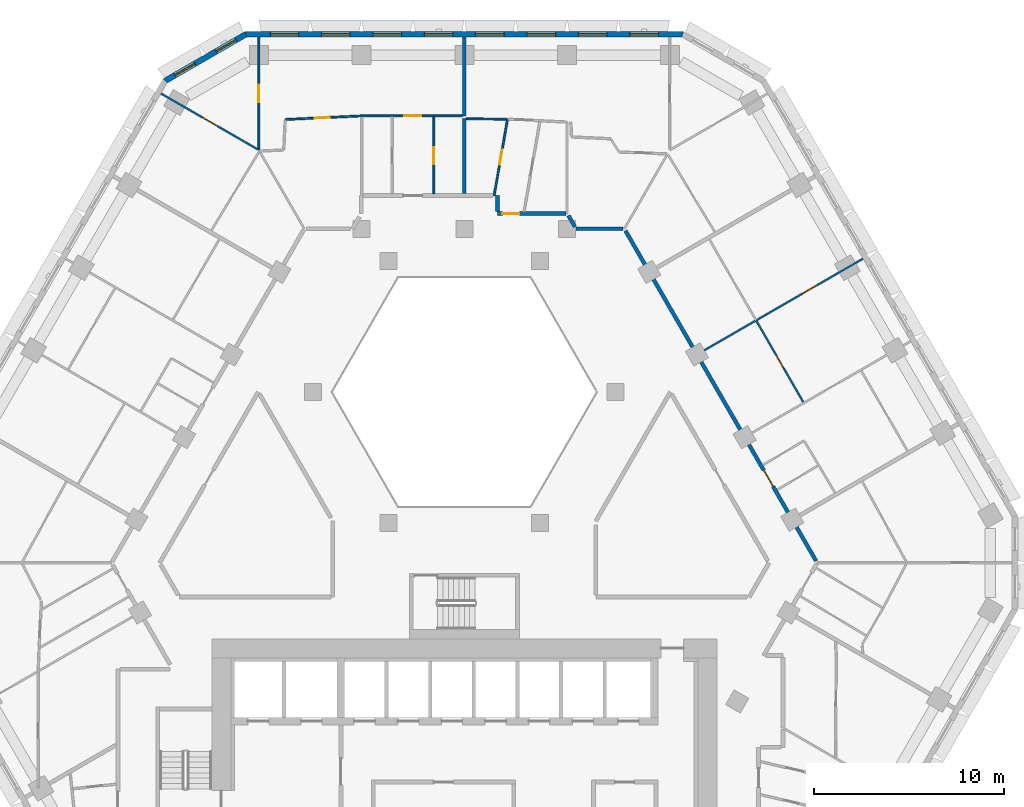
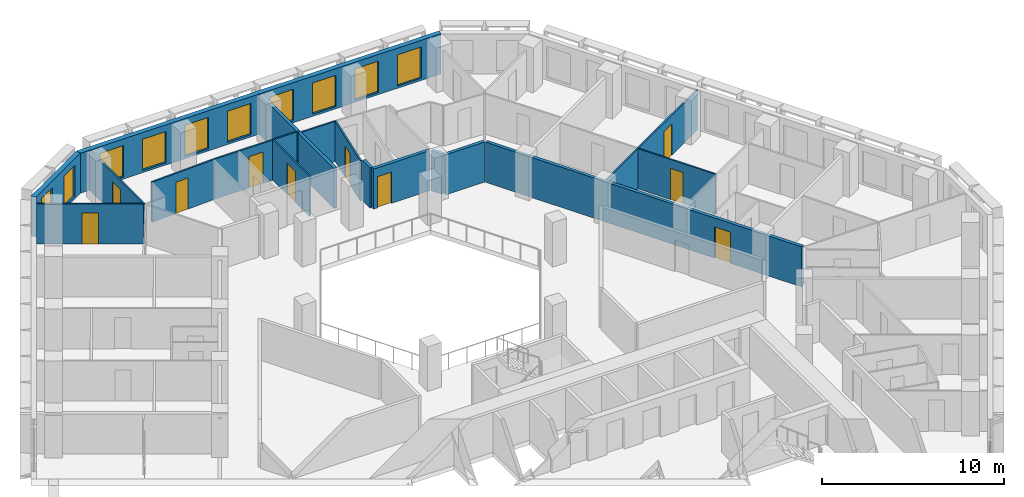
# One storey, part 9 of 18: 18 walls, 10 doors, 10 windows, 20 openings.
"""IFC4 building model written with IfcOpenShell, lengths in metres."""

from ifc_helpers import new_model, si_unit, direction, frame, frame_2d, origin, place, context, subcontext, project, spatial, polyline, rectangle, outline, extrude, material, layer, layer_set, type_object, element, fill, save


model = new_model("IFC4")

# Units and contexts
model_context = context("Model", 3, precision=1e-05, world=origin(), true_north=direction((0.0, 1.0)))
body_context = subcontext(model_context, "Body", "Model", "MODEL_VIEW")
ifc_project = project(units=[si_unit("LENGTHUNIT", "METRE"), si_unit("AREAUNIT", "SQUARE_METRE"), si_unit("VOLUMEUNIT", "CUBIC_METRE"), si_unit("PLANEANGLEUNIT", "RADIAN"), si_unit("MASSUNIT", "GRAM", prefix="KILO")], contexts=[model_context])

# Site, building, storey
site_placement = place(None, origin())
site = spatial("IfcSite", under=ifc_project, at=site_placement, CompositionType="ELEMENT")
building_placement = place(site_placement, origin())
building = spatial("IfcBuilding", under=site, at=building_placement, Name="Beryl Residences", CompositionType="ELEMENT")
storey_placement = place(building_placement, frame((0.0, 0.0, 81.0)))
storey = spatial("IfcBuildingStorey", under=building, at=storey_placement, Name="L24", CompositionType="ELEMENT", Elevation=81.0)

# Wall, openings, windows
ifc_material_1 = material(Name="Composite metal panel with mineral wool insulation")
ifc_layer_1 = layer(ifc_material_1, 0.300048828125)
ifc_layer_set_1 = layer_set([ifc_layer_1], Name="ES1 pale metal composite panel wall 300 mm")
wall_type_1 = type_object("IfcWallType", Name="ES1 pale metal composite panel wall 300 mm", PredefinedType="SOLIDWALL", material=ifc_layer_set_1)
wall_1_placement = place(storey_placement, frame((11.547119140625, 26.85009765625, 0.0), z_axis=(0.0, 0.0, 1.0), x_axis=(-1.0, 0.0, 0.0)))
wall_1 = element("IfcWall", 1, at=wall_1_placement, inside=storey, type_object=wall_type_1, Name="ES1 external wall L24 N", PredefinedType="SOLIDWALL", context=body_context, shape_type="SweptSolid", body=[
    extrude(outline(polyline([(0.0, -0.14990234375), (23.09423828125, -0.14990234375), (23.013916015625, 0.14990234375), (0.080322265625, 0.14990234375), (0.0, -0.14990234375)])), origin(), (0.0, 0.0, 1.0), 2.699951171875),
])
opening_1_placement = place(wall_1_placement, frame((1.324951171875, 0.0, 0.14990234375)))
opening_1 = element("IfcOpeningElement", 2, at=opening_1_placement, cuts=wall_1, Name="Opening W1", PredefinedType="OPENING", context=body_context, shape_type="SweptSolid", body=[
    extrude(rectangle(XDim=1.5, YDim=2.10009765625, at=frame_2d((0.75, 1.050048828125))), frame((0.0, 0.159912109375, 0.0), z_axis=(0.0, -1.0, 0.0), x_axis=(1.0, 0.0, 0.0)), (0.0, 0.0, 1.0), 0.320068359375),
])
opening_2_placement = place(wall_1_placement, frame((4.031982421875, 0.0, 0.14990234375)))
opening_2 = element("IfcOpeningElement", 3, at=opening_2_placement, cuts=wall_1, Name="Opening W1", PredefinedType="OPENING", context=body_context, shape_type="SweptSolid", body=[
    extrude(rectangle(XDim=1.5, YDim=2.10009765625, at=frame_2d((0.75, 1.050048828125))), frame((0.0, 0.159912109375, 0.0), z_axis=(0.0, -1.0, 0.0), x_axis=(1.0, 0.0, 0.0)), (0.0, 0.0, 1.0), 0.320068359375),
])
opening_3_placement = place(wall_1_placement, frame((6.738037109375, 0.0, 0.14990234375)))
opening_3 = element("IfcOpeningElement", 4, at=opening_3_placement, cuts=wall_1, Name="Opening W1", PredefinedType="OPENING", context=body_context, shape_type="SweptSolid", body=[
    extrude(rectangle(XDim=1.5, YDim=2.10009765625, at=frame_2d((0.75, 1.050048828125))), frame((0.0, 0.159912109375, 0.0), z_axis=(0.0, -1.0, 0.0), x_axis=(1.0, 0.0, 0.0)), (0.0, 0.0, 1.0), 0.320068359375),
])
opening_4_placement = place(wall_1_placement, frame((9.445068359375, 0.0, 0.14990234375)))
opening_4 = element("IfcOpeningElement", 5, at=opening_4_placement, cuts=wall_1, Name="Opening W1", PredefinedType="OPENING", context=body_context, shape_type="SweptSolid", body=[
    extrude(rectangle(XDim=1.5, YDim=2.10009765625, at=frame_2d((0.75, 1.050048828125))), frame((0.0, 0.159912109375, 0.0), z_axis=(0.0, -1.0, 0.0), x_axis=(1.0, 0.0, 0.0)), (0.0, 0.0, 1.0), 0.320068359375),
])
opening_5_placement = place(wall_1_placement, frame((12.15087890625, 0.0, 0.14990234375)))
opening_5 = element("IfcOpeningElement", 6, at=opening_5_placement, cuts=wall_1, Name="Opening W1", PredefinedType="OPENING", context=body_context, shape_type="SweptSolid", body=[
    extrude(rectangle(XDim=1.5, YDim=2.10009765625, at=frame_2d((0.75, 1.050048828125))), frame((0.0, 0.159912109375, 0.0), z_axis=(0.0, -1.0, 0.0), x_axis=(1.0, 0.0, 0.0)), (0.0, 0.0, 1.0), 0.320068359375),
])
opening_6_placement = place(wall_1_placement, frame((14.85791015625, 0.0, 0.14990234375)))
opening_6 = element("IfcOpeningElement", 7, at=opening_6_placement, cuts=wall_1, Name="Opening W1", PredefinedType="OPENING", context=body_context, shape_type="SweptSolid", body=[
    extrude(rectangle(XDim=1.5, YDim=2.10009765625, at=frame_2d((0.75, 1.050048828125))), frame((0.0, 0.159912109375, 0.0), z_axis=(0.0, -1.0, 0.0), x_axis=(1.0, 0.0, 0.0)), (0.0, 0.0, 1.0), 0.320068359375),
])
opening_7_placement = place(wall_1_placement, frame((17.56396484375, 0.0, 0.14990234375)))
opening_7 = element("IfcOpeningElement", 8, at=opening_7_placement, cuts=wall_1, Name="Opening W1", PredefinedType="OPENING", context=body_context, shape_type="SweptSolid", body=[
    extrude(rectangle(XDim=1.5, YDim=2.10009765625, at=frame_2d((0.75, 1.050048828125))), frame((0.0, 0.159912109375, 0.0), z_axis=(0.0, -1.0, 0.0), x_axis=(1.0, 0.0, 0.0)), (0.0, 0.0, 1.0), 0.320068359375),
])
opening_8_placement = place(wall_1_placement, frame((20.27099609375, 0.0, 0.14990234375)))
opening_8 = element("IfcOpeningElement", 9, at=opening_8_placement, cuts=wall_1, Name="Opening W1", PredefinedType="OPENING", context=body_context, shape_type="SweptSolid", body=[
    extrude(rectangle(XDim=1.5, YDim=2.10009765625, at=frame_2d((0.75, 1.050048828125))), frame((0.0, 0.159912109375, 0.0), z_axis=(0.0, -1.0, 0.0), x_axis=(1.0, 0.0, 0.0)), (0.0, 0.0, 1.0), 0.320068359375),
])
ifc_material_2 = material(Name="Aluminium and clear glass", Category="aluminium")
window_type_1 = type_object("IfcWindowType", Name="W1 cell window 1500 x 2100 mm", PartitioningType="SINGLE_PANEL", PredefinedType="WINDOW", material=ifc_material_2)
window_1_placement = place(opening_1_placement, origin())
window_1 = element("IfcWindow", 10, at=window_1_placement, inside=storey, type_object=window_type_1, Name="W1 window L24 N 1", OverallHeight=2.10009765625, OverallWidth=1.5, PartitioningType="SINGLE_PANEL", PredefinedType="WINDOW", context=body_context, shape_type="SweptSolid", body=[
    extrude(rectangle(XDim=1.5, YDim=2.10009765625, at=frame_2d((0.75, 1.050048828125))), frame((0.0, 0.030029296875, 0.0), z_axis=(0.0, -1.0, 0.0), x_axis=(1.0, 0.0, 0.0)), (0.0, 0.0, 1.0), 0.06005859375),
])
fill(opening_1, window_1)
window_2_placement = place(opening_2_placement, origin())
window_2 = element("IfcWindow", 11, at=window_2_placement, inside=storey, type_object=window_type_1, Name="W1 window L24 N 2", OverallHeight=2.10009765625, OverallWidth=1.5, PartitioningType="SINGLE_PANEL", PredefinedType="WINDOW", context=body_context, shape_type="SweptSolid", body=[
    extrude(rectangle(XDim=1.5, YDim=2.10009765625, at=frame_2d((0.75, 1.050048828125))), frame((0.0, 0.030029296875, 0.0), z_axis=(0.0, -1.0, 0.0), x_axis=(1.0, 0.0, 0.0)), (0.0, 0.0, 1.0), 0.06005859375),
])
fill(opening_2, window_2)
window_3_placement = place(opening_3_placement, origin())
window_3 = element("IfcWindow", 12, at=window_3_placement, inside=storey, type_object=window_type_1, Name="W1 window L24 N 3", OverallHeight=2.10009765625, OverallWidth=1.5, PartitioningType="SINGLE_PANEL", PredefinedType="WINDOW", context=body_context, shape_type="SweptSolid", body=[
    extrude(rectangle(XDim=1.5, YDim=2.10009765625, at=frame_2d((0.75, 1.050048828125))), frame((0.0, 0.030029296875, 0.0), z_axis=(0.0, -1.0, 0.0), x_axis=(1.0, 0.0, 0.0)), (0.0, 0.0, 1.0), 0.06005859375),
])
fill(opening_3, window_3)
window_4_placement = place(opening_4_placement, origin())
window_4 = element("IfcWindow", 13, at=window_4_placement, inside=storey, type_object=window_type_1, Name="W1 window L24 N 4", OverallHeight=2.10009765625, OverallWidth=1.5, PartitioningType="SINGLE_PANEL", PredefinedType="WINDOW", context=body_context, shape_type="SweptSolid", body=[
    extrude(rectangle(XDim=1.5, YDim=2.10009765625, at=frame_2d((0.75, 1.050048828125))), frame((0.0, 0.030029296875, 0.0), z_axis=(0.0, -1.0, 0.0), x_axis=(1.0, 0.0, 0.0)), (0.0, 0.0, 1.0), 0.06005859375),
])
fill(opening_4, window_4)
window_5_placement = place(opening_5_placement, origin())
window_5 = element("IfcWindow", 14, at=window_5_placement, inside=storey, type_object=window_type_1, Name="W1 window L24 N 5", OverallHeight=2.10009765625, OverallWidth=1.5, PartitioningType="SINGLE_PANEL", PredefinedType="WINDOW", context=body_context, shape_type="SweptSolid", body=[
    extrude(rectangle(XDim=1.5, YDim=2.10009765625, at=frame_2d((0.75, 1.050048828125))), frame((0.0, 0.030029296875, 0.0), z_axis=(0.0, -1.0, 0.0), x_axis=(1.0, 0.0, 0.0)), (0.0, 0.0, 1.0), 0.06005859375),
])
fill(opening_5, window_5)
window_6_placement = place(opening_6_placement, origin())
window_6 = element("IfcWindow", 15, at=window_6_placement, inside=storey, type_object=window_type_1, Name="W1 window L24 N 6", OverallHeight=2.10009765625, OverallWidth=1.5, PartitioningType="SINGLE_PANEL", PredefinedType="WINDOW", context=body_context, shape_type="SweptSolid", body=[
    extrude(rectangle(XDim=1.5, YDim=2.10009765625, at=frame_2d((0.75, 1.050048828125))), frame((0.0, 0.030029296875, 0.0), z_axis=(0.0, -1.0, 0.0), x_axis=(1.0, 0.0, 0.0)), (0.0, 0.0, 1.0), 0.06005859375),
])
fill(opening_6, window_6)
window_7_placement = place(opening_7_placement, origin())
window_7 = element("IfcWindow", 16, at=window_7_placement, inside=storey, type_object=window_type_1, Name="W1 window L24 N 7", OverallHeight=2.10009765625, OverallWidth=1.5, PartitioningType="SINGLE_PANEL", PredefinedType="WINDOW", context=body_context, shape_type="SweptSolid", body=[
    extrude(rectangle(XDim=1.5, YDim=2.10009765625, at=frame_2d((0.75, 1.050048828125))), frame((0.0, 0.030029296875, 0.0), z_axis=(0.0, -1.0, 0.0), x_axis=(1.0, 0.0, 0.0)), (0.0, 0.0, 1.0), 0.06005859375),
])
fill(opening_7, window_7)
window_8_placement = place(opening_8_placement, origin())
window_8 = element("IfcWindow", 17, at=window_8_placement, inside=storey, type_object=window_type_1, Name="W1 window L24 N 8", OverallHeight=2.10009765625, OverallWidth=1.5, PartitioningType="SINGLE_PANEL", PredefinedType="WINDOW", context=body_context, shape_type="SweptSolid", body=[
    extrude(rectangle(XDim=1.5, YDim=2.10009765625, at=frame_2d((0.75, 1.050048828125))), frame((0.0, 0.030029296875, 0.0), z_axis=(0.0, -1.0, 0.0), x_axis=(1.0, 0.0, 0.0)), (0.0, 0.0, 1.0), 0.06005859375),
])
fill(opening_8, window_8)

wall_2_placement = place(storey_placement, frame((-11.471923828125, 26.8701171875, 0.0), z_axis=(0.0, 0.0, 1.0), x_axis=(-0.866022959057, -0.500004234368, 0.0)))
wall_2 = element("IfcWall", 18, at=wall_2_placement, inside=storey, type_object=wall_type_1, Name="ES1 external wall L24 N-NW", PredefinedType="SOLIDWALL", context=body_context, shape_type="SweptSolid", body=[
    extrude(outline(polyline([(0.0, -0.14990234375), (5.0, -0.14990234375), (4.919677734375, 0.14990234375), (0.080322265625, 0.14990234375), (0.0, -0.14990234375)])), origin(), (0.0, 0.0, 1.0), 2.699951171875),
])
opening_9_placement = place(wall_2_placement, frame((0.64990234375, 0.0, 0.14990234375)))
opening_9 = element("IfcOpeningElement", 19, at=opening_9_placement, cuts=wall_2, Name="Opening W2", PredefinedType="OPENING", context=body_context, shape_type="SweptSolid", body=[
    extrude(rectangle(XDim=1.199951171875, YDim=2.10009765625, at=frame_2d((0.60009765625, 1.050048828125))), frame((0.0, 0.159912109375, 0.0), z_axis=(0.0, -1.0, 0.0), x_axis=(1.0, 0.0, 0.0)), (0.0, 0.0, 1.0), 0.320068359375),
])
opening_10_placement = place(wall_2_placement, frame((3.14892578125, 0.0, 0.14990234375)))
opening_10 = element("IfcOpeningElement", 20, at=opening_10_placement, cuts=wall_2, Name="Opening W2", PredefinedType="OPENING", context=body_context, shape_type="SweptSolid", body=[
    extrude(rectangle(XDim=1.199951171875, YDim=2.10009765625, at=frame_2d((0.60009765625, 1.050048828125))), frame((0.0, 0.159912109375, 0.0), z_axis=(0.0, -1.0, 0.0), x_axis=(1.0, 0.0, 0.0)), (0.0, 0.0, 1.0), 0.320068359375),
])
ifc_material_3 = material(Name="Aluminium and clear glass", Category="aluminium")
window_type_2 = type_object("IfcWindowType", Name="W2 chamfer window 1200 x 2100 mm", PartitioningType="SINGLE_PANEL", PredefinedType="WINDOW", material=ifc_material_3)
window_9_placement = place(opening_9_placement, origin())
window_9 = element("IfcWindow", 21, at=window_9_placement, inside=storey, type_object=window_type_2, Name="W2 window L24 N-NW 1", OverallHeight=2.10009765625, OverallWidth=1.199951171875, PartitioningType="SINGLE_PANEL", PredefinedType="WINDOW", context=body_context, shape_type="SweptSolid", body=[
    extrude(rectangle(XDim=1.199951171875, YDim=2.10009765625, at=frame_2d((0.60009765625, 1.050048828125))), frame((0.0, 0.030029296875, 0.0), z_axis=(0.0, -1.0, 0.0), x_axis=(1.0, 0.0, 0.0)), (0.0, 0.0, 1.0), 0.06005859375),
])
fill(opening_9, window_9)
window_10_placement = place(opening_10_placement, origin())
window_10 = element("IfcWindow", 22, at=window_10_placement, inside=storey, type_object=window_type_2, Name="W2 window L24 N-NW 2", OverallHeight=2.10009765625, OverallWidth=1.199951171875, PartitioningType="SINGLE_PANEL", PredefinedType="WINDOW", context=body_context, shape_type="SweptSolid", body=[
    extrude(rectangle(XDim=1.199951171875, YDim=2.10009765625, at=frame_2d((0.60009765625, 1.050048828125))), frame((0.0, 0.030029296875, 0.0), z_axis=(0.0, -1.0, 0.0), x_axis=(1.0, 0.0, 0.0)), (0.0, 0.0, 1.0), 0.06005859375),
])
fill(opening_10, window_10)

# Wall
ifc_material_4 = material(Name="Gypsum board partition on steel studs", Category="steel")
ifc_layer_2 = layer(ifc_material_4, 0.10009765625)
ifc_layer_set_2 = layer_set([ifc_layer_2], Name="PT1 partition 100 mm gypsum board on steel studs")
wall_type_2 = type_object("IfcWallType", Name="PT1 partition 100 mm gypsum board on steel studs", PredefinedType="PARTITIONING", material=ifc_layer_set_2)
wall_3_placement = place(storey_placement, frame((0.09912109375, 22.39599609375, 0.0), z_axis=(0.0, 0.0, 1.0), x_axis=(0.999952228611, -0.009774481889, 0.0)))
element("IfcWall", 23, at=wall_3_placement, inside=storey, type_object=wall_type_2, Name="Wall PT1 L24 001", PredefinedType="PARTITIONING", context=body_context, shape_type="SweptSolid", body=[
    extrude(rectangle(XDim=2.14794921875, YDim=0.10009765625, at=frame_2d((1.073974609375, 0.0))), origin(), (0.0, 0.0, 1.0), 2.699951171875),
])

# Wall, opening, door
wall_4_placement = place(storey_placement, frame((-15.97705078125, 23.72509765625, 0.0), z_axis=(0.0, 0.0, 1.0), x_axis=(0.866028213039, -0.499995134196, 0.0)))
wall_4 = element("IfcWall", 24, at=wall_4_placement, inside=storey, type_object=wall_type_2, Name="Wall PT1 L24 028", PredefinedType="PARTITIONING", context=body_context, shape_type="SweptSolid", body=[
    extrude(rectangle(XDim=5.89013671875, YDim=0.10009765625, at=frame_2d((2.945068359375, 0.0))), origin(), (0.0, 0.0, 1.0), 2.699951171875),
])
opening_11_placement = place(wall_4_placement, frame((2.52392578125, 0.0, 0.0)))
opening_11 = element("IfcOpeningElement", 25, at=opening_11_placement, cuts=wall_4, Name="Opening D0607", PredefinedType="OPENING", context=body_context, shape_type="SweptSolid", body=[
    extrude(rectangle(XDim=0.89990234375, YDim=2.10009765625, at=frame_2d((0.449951171875, 1.050048828125))), frame((0.0, 0.06005859375, 0.0), z_axis=(0.0, -1.0, 0.0), x_axis=(1.0, 0.0, 0.0)), (0.0, 0.0, 1.0), 0.1201171875),
])
ifc_material_5 = material(Name="Timber door leaf", Category="wood")
door_type_1 = type_object("IfcDoorType", Name="D2 room door 900 x 2100 mm", OperationType="SINGLE_SWING_LEFT", PredefinedType="DOOR", material=ifc_material_5)
door_1_placement = place(opening_11_placement, origin())
door_1 = element("IfcDoor", 26, at=door_1_placement, inside=storey, type_object=door_type_1, Name="Door D0607 L24 001", OperationType="SINGLE_SWING_LEFT", OverallHeight=2.10009765625, OverallWidth=0.89990234375, PredefinedType="DOOR", context=body_context, shape_type="SweptSolid", body=[
    extrude(rectangle(XDim=0.89990234375, YDim=2.10009765625, at=frame_2d((0.449951171875, 1.050048828125))), frame((0.0, 0.02490234375, 0.0), z_axis=(0.0, -1.0, 0.0), x_axis=(1.0, 0.0, 0.0)), (0.0, 0.0, 1.0), 0.050048828125),
])
fill(opening_11, door_1)

wall_5_placement = place(storey_placement, frame((-5.384033203125, 22.550048828125, 0.0), z_axis=(0.0, 0.0, 1.0), x_axis=(1.0, 0.0, 0.0)))
wall_5 = element("IfcWall", 27, at=wall_5_placement, inside=storey, type_object=wall_type_2, Name="Wall PT1 L24 036", PredefinedType="PARTITIONING", context=body_context, shape_type="SweptSolid", body=[
    extrude(rectangle(XDim=5.282958984375, YDim=0.10009765625, at=frame_2d((2.6416015625, 0.0))), origin(), (0.0, 0.0, 1.0), 2.699951171875),
])
opening_12_placement = place(wall_5_placement, frame((2.22607421875, 0.0, 0.0)))
opening_12 = element("IfcOpeningElement", 28, at=opening_12_placement, cuts=wall_5, Name="Opening D0604", PredefinedType="OPENING", context=body_context, shape_type="SweptSolid", body=[
    extrude(rectangle(XDim=0.89990234375, YDim=2.10009765625, at=frame_2d((0.449951171875, 1.050048828125))), frame((0.0, 0.06005859375, 0.0), z_axis=(0.0, -1.0, 0.0), x_axis=(1.0, 0.0, 0.0)), (0.0, 0.0, 1.0), 0.1201171875),
])
door_2_placement = place(opening_12_placement, origin())
door_2 = element("IfcDoor", 29, at=door_2_placement, inside=storey, type_object=door_type_1, Name="Door D0604 L24 001", OperationType="SINGLE_SWING_RIGHT", OverallHeight=2.10009765625, OverallWidth=0.89990234375, PredefinedType="DOOR", context=body_context, shape_type="SweptSolid", body=[
    extrude(rectangle(XDim=0.89990234375, YDim=2.10009765625, at=frame_2d((0.449951171875, 1.050048828125))), frame((0.0, 0.02490234375, 0.0), z_axis=(0.0, -1.0, 0.0), x_axis=(1.0, 0.0, 0.0)), (0.0, 0.0, 1.0), 0.050048828125),
])
fill(opening_12, door_2)

wall_6_placement = place(storey_placement, frame((1.571044921875, 18.35009765625, 0.0), z_axis=(0.0, 0.0, 1.0), x_axis=(0.172742546726, 0.984967010895, 0.0)))
wall_6 = element("IfcWall", 30, at=wall_6_placement, inside=storey, type_object=wall_type_2, Name="Wall PT1 L24 050", PredefinedType="PARTITIONING", context=body_context, shape_type="SweptSolid", body=[
    extrude(rectangle(XDim=4.08740234375, YDim=0.10009765625, at=frame_2d((2.043701171875, 0.0))), origin(), (0.0, 0.0, 1.0), 2.699951171875),
])
opening_13_placement = place(wall_6_placement, frame((1.64404296875, 0.0, 0.0)))
opening_13 = element("IfcOpeningElement", 31, at=opening_13_placement, cuts=wall_6, Name="Opening D0660", PredefinedType="OPENING", context=body_context, shape_type="SweptSolid", body=[
    extrude(rectangle(XDim=0.800048828125, YDim=2.10009765625, at=frame_2d((0.39990234375, 1.050048828125))), frame((0.0, 0.06005859375, 0.0), z_axis=(0.0, -1.0, 0.0), x_axis=(1.0, 0.0, 0.0)), (0.0, 0.0, 1.0), 0.1201171875),
])
ifc_material_6 = material(Name="Timber door leaf", Category="wood")
door_type_2 = type_object("IfcDoorType", Name="D3 bathroom door 800 x 2100 mm", OperationType="SINGLE_SWING_LEFT", PredefinedType="DOOR", material=ifc_material_6)
door_3_placement = place(opening_13_placement, origin())
door_3 = element("IfcDoor", 32, at=door_3_placement, inside=storey, type_object=door_type_2, Name="Door D0660 L24 001", OperationType="SINGLE_SWING_RIGHT", OverallHeight=2.10009765625, OverallWidth=0.800048828125, PredefinedType="DOOR", context=body_context, shape_type="SweptSolid", body=[
    extrude(rectangle(XDim=0.800048828125, YDim=2.10009765625, at=frame_2d((0.39990234375, 1.050048828125))), frame((0.0, 0.02490234375, 0.0), z_axis=(0.0, -1.0, 0.0), x_axis=(1.0, 0.0, 0.0)), (0.0, 0.0, 1.0), 0.050048828125),
])
fill(opening_13, door_3)

wall_7_placement = place(storey_placement, frame((-10.826904296875, 20.7529296875, 0.0), z_axis=(0.0, 0.0, 1.0), x_axis=(0.0, 1.0, 0.0)))
wall_7 = element("IfcWall", 33, at=wall_7_placement, inside=storey, type_object=wall_type_2, Name="Wall PT1 L24 064", PredefinedType="PARTITIONING", context=body_context, shape_type="SweptSolid", body=[
    extrude(rectangle(XDim=5.947021484375, YDim=0.10009765625, at=frame_2d((2.9736328125, 0.0))), origin(), (0.0, 0.0, 1.0), 2.699951171875),
])
opening_14_placement = place(wall_7_placement, frame((2.52294921875, 0.0, 0.0)))
opening_14 = element("IfcOpeningElement", 34, at=opening_14_placement, cuts=wall_7, Name="Opening D0605", PredefinedType="OPENING", context=body_context, shape_type="SweptSolid", body=[
    extrude(rectangle(XDim=0.89990234375, YDim=2.10009765625, at=frame_2d((0.449951171875, 1.050048828125))), frame((0.0, 0.06005859375, 0.0), z_axis=(0.0, -1.0, 0.0), x_axis=(1.0, 0.0, 0.0)), (0.0, 0.0, 1.0), 0.1201171875),
])
door_4_placement = place(opening_14_placement, origin())
door_4 = element("IfcDoor", 35, at=door_4_placement, inside=storey, type_object=door_type_1, Name="Door D0605 L24 001", OperationType="SINGLE_SWING_LEFT", OverallHeight=2.10009765625, OverallWidth=0.89990234375, PredefinedType="DOOR", context=body_context, shape_type="SweptSolid", body=[
    extrude(rectangle(XDim=0.89990234375, YDim=2.10009765625, at=frame_2d((0.449951171875, 1.050048828125))), frame((0.0, 0.02490234375, 0.0), z_axis=(0.0, -1.0, 0.0), x_axis=(1.0, 0.0, 0.0)), (0.0, 0.0, 1.0), 0.050048828125),
])
fill(opening_14, door_4)

wall_8_placement = place(storey_placement, frame((-1.60693359375, 18.449951171875, 0.0), z_axis=(0.0, 0.0, 1.0), x_axis=(0.0, 1.0, 0.0)))
wall_8 = element("IfcWall", 36, at=wall_8_placement, inside=storey, type_object=wall_type_2, Name="Wall PT1 L24 065", PredefinedType="PARTITIONING", context=body_context, shape_type="SweptSolid", body=[
    extrude(rectangle(XDim=4.050048828125, YDim=0.10009765625, at=frame_2d((2.02490234375, 0.0))), origin(), (0.0, 0.0, 1.0), 2.699951171875),
])
opening_15_placement = place(wall_8_placement, frame((1.550048828125, 0.0, 0.0)))
opening_15 = element("IfcOpeningElement", 37, at=opening_15_placement, cuts=wall_8, Name="Opening D0603", PredefinedType="OPENING", context=body_context, shape_type="SweptSolid", body=[
    extrude(rectangle(XDim=0.89990234375, YDim=2.10009765625, at=frame_2d((0.449951171875, 1.050048828125))), frame((0.0, 0.06005859375, 0.0), z_axis=(0.0, -1.0, 0.0), x_axis=(1.0, 0.0, 0.0)), (0.0, 0.0, 1.0), 0.1201171875),
])
door_5_placement = place(opening_15_placement, origin())
door_5 = element("IfcDoor", 38, at=door_5_placement, inside=storey, type_object=door_type_1, Name="Door D0603 L24 001", OperationType="SINGLE_SWING_LEFT", OverallHeight=2.10009765625, OverallWidth=0.89990234375, PredefinedType="DOOR", context=body_context, shape_type="SweptSolid", body=[
    extrude(rectangle(XDim=0.89990234375, YDim=2.10009765625, at=frame_2d((0.449951171875, 1.050048828125))), frame((0.0, 0.02490234375, 0.0), z_axis=(0.0, -1.0, 0.0), x_axis=(1.0, 0.0, 0.0)), (0.0, 0.0, 1.0), 0.050048828125),
])
fill(opening_15, door_5)

wall_9_placement = place(storey_placement, frame((-9.43505859375, 22.35791015625, 0.0), z_axis=(0.0, 0.0, 1.0), x_axis=(0.998871548472, 0.04749346959, 0.0)))
wall_9 = element("IfcWall", 39, at=wall_9_placement, inside=storey, type_object=wall_type_2, Name="Wall PT1 L24 068", PredefinedType="PARTITIONING", context=body_context, shape_type="SweptSolid", body=[
    extrude(rectangle(XDim=4.045654296875, YDim=0.10009765625, at=frame_2d((2.02294921875, 0.0))), origin(), (0.0, 0.0, 1.0), 2.699951171875),
])
opening_16_placement = place(wall_9_placement, frame((1.554931640625, 0.0, 0.0)))
opening_16 = element("IfcOpeningElement", 40, at=opening_16_placement, cuts=wall_9, Name="Opening D0606", PredefinedType="OPENING", context=body_context, shape_type="SweptSolid", body=[
    extrude(rectangle(XDim=0.800048828125, YDim=2.10009765625, at=frame_2d((0.39990234375, 1.050048828125))), frame((0.0, 0.06005859375, 0.0), z_axis=(0.0, -1.0, 0.0), x_axis=(1.0, 0.0, 0.0)), (0.0, 0.0, 1.0), 0.1201171875),
])
door_6_placement = place(opening_16_placement, origin())
door_6 = element("IfcDoor", 41, at=door_6_placement, inside=storey, type_object=door_type_2, Name="Door D0606 L24 001", OperationType="SINGLE_SWING_RIGHT", OverallHeight=2.10009765625, OverallWidth=0.800048828125, PredefinedType="DOOR", context=body_context, shape_type="SweptSolid", body=[
    extrude(rectangle(XDim=0.800048828125, YDim=2.10009765625, at=frame_2d((0.39990234375, 1.050048828125))), frame((0.0, 0.02490234375, 0.0), z_axis=(0.0, -1.0, 0.0), x_axis=(1.0, 0.0, 0.0)), (0.0, 0.0, 1.0), 0.050048828125),
])
fill(opening_16, door_6)

wall_10_placement = place(storey_placement, frame((12.342041015625, 10.02490234375, 0.0), z_axis=(0.0, 0.0, 1.0), x_axis=(0.865992435864, 0.500057097767, 0.0)))
wall_10 = element("IfcWall", 42, at=wall_10_placement, inside=storey, type_object=wall_type_2, Name="Wall PT1 L24 075", PredefinedType="PARTITIONING", context=body_context, shape_type="SweptSolid", body=[
    extrude(rectangle(XDim=9.998779296875, YDim=0.10009765625, at=frame_2d((4.99951171875, 0.0))), origin(), (0.0, 0.0, 1.0), 2.699951171875),
])
opening_17_placement = place(wall_10_placement, frame((6.300048828125, 0.0, 0.0)))
opening_17 = element("IfcOpeningElement", 43, at=opening_17_placement, cuts=wall_10, Name="Opening D0656", PredefinedType="OPENING", context=body_context, shape_type="SweptSolid", body=[
    extrude(rectangle(XDim=0.89990234375, YDim=2.10009765625, at=frame_2d((0.449951171875, 1.050048828125))), frame((0.0, 0.06005859375, 0.0), z_axis=(0.0, -1.0, 0.0), x_axis=(1.0, 0.0, 0.0)), (0.0, 0.0, 1.0), 0.1201171875),
])
door_7_placement = place(opening_17_placement, origin())
door_7 = element("IfcDoor", 44, at=door_7_placement, inside=storey, type_object=door_type_1, Name="Door D0656 L24 001", OperationType="SINGLE_SWING_RIGHT", OverallHeight=2.10009765625, OverallWidth=0.89990234375, PredefinedType="DOOR", context=body_context, shape_type="SweptSolid", body=[
    extrude(rectangle(XDim=0.89990234375, YDim=2.10009765625, at=frame_2d((0.449951171875, 1.050048828125))), frame((0.0, 0.02490234375, 0.0), z_axis=(0.0, -1.0, 0.0), x_axis=(1.0, 0.0, 0.0)), (0.0, 0.0, 1.0), 0.050048828125),
])
fill(opening_17, door_7)

wall_11_placement = place(storey_placement, frame((15.3720703125, 11.77490234375, 0.0), z_axis=(0.0, 0.0, 1.0), x_axis=(0.500035488351, -0.866004913606, 0.0)))
wall_11 = element("IfcWall", 45, at=wall_11_placement, inside=storey, type_object=wall_type_2, Name="Wall PT1 L24 078", PredefinedType="PARTITIONING", context=body_context, shape_type="SweptSolid", body=[
    extrude(rectangle(XDim=4.973388671875, YDim=0.10009765625, at=frame_2d((2.48681640625, 0.0))), origin(), (0.0, 0.0, 1.0), 2.699951171875),
])
opening_18_placement = place(wall_11_placement, frame((2.112060546875, 0.0, 0.0)))
opening_18 = element("IfcOpeningElement", 46, at=opening_18_placement, cuts=wall_11, Name="Opening D0655", PredefinedType="OPENING", context=body_context, shape_type="SweptSolid", body=[
    extrude(rectangle(XDim=0.800048828125, YDim=2.10009765625, at=frame_2d((0.39990234375, 1.050048828125))), frame((0.0, 0.06005859375, 0.0), z_axis=(0.0, -1.0, 0.0), x_axis=(1.0, 0.0, 0.0)), (0.0, 0.0, 1.0), 0.1201171875),
])
door_8_placement = place(opening_18_placement, origin())
door_8 = element("IfcDoor", 47, at=door_8_placement, inside=storey, type_object=door_type_2, Name="Door D0655 L24 001", OperationType="SINGLE_SWING_LEFT", OverallHeight=2.10009765625, OverallWidth=0.800048828125, PredefinedType="DOOR", context=body_context, shape_type="SweptSolid", body=[
    extrude(rectangle(XDim=0.800048828125, YDim=2.10009765625, at=frame_2d((0.39990234375, 1.050048828125))), frame((0.0, 0.02490234375, 0.0), z_axis=(0.0, -1.0, 0.0), x_axis=(1.0, 0.0, 0.0)), (0.0, 0.0, 1.0), 0.050048828125),
])
fill(opening_18, door_8)

# Walls
ifc_material_7 = material(Name="Acoustic double stud gypsum board wall")
ifc_layer_3 = layer(ifc_material_7, 0.199951171875)
ifc_layer_set_3 = layer_set([ifc_layer_3], Name="PT3 party wall 200 mm acoustic double stud")
wall_type_3 = type_object("IfcWallType", Name="PT3 party wall 200 mm acoustic double stud", PredefinedType="PARTITIONING", material=ifc_layer_set_3)
wall_12_placement = place(storey_placement, frame((-0.0009765625, 18.449951171875, 0.0), z_axis=(0.0, 0.0, 1.0), x_axis=(0.0, 1.0, 0.0)))
element("IfcWall", 48, at=wall_12_placement, inside=storey, type_object=wall_type_3, Name="Wall PT3 L24 006", PredefinedType="PARTITIONING", context=body_context, shape_type="SweptSolid", body=[
    extrude(rectangle(XDim=3.967041015625, YDim=0.199951171875, at=frame_2d((1.9833984375, 0.0))), origin(), (0.0, 0.0, 1.0), 2.699951171875),
])
wall_13_placement = place(storey_placement, frame((-0.0009765625, 22.550048828125, 0.0), z_axis=(0.0, 0.0, 1.0), x_axis=(0.0, 1.0, 0.0)))
element("IfcWall", 49, at=wall_13_placement, inside=storey, type_object=wall_type_3, Name="Wall PT3 L24 007", PredefinedType="PARTITIONING", context=body_context, shape_type="SweptSolid", body=[
    extrude(rectangle(XDim=4.14990234375, YDim=0.199951171875, at=frame_2d((2.074951171875, 0.0))), origin(), (0.0, 0.0, 1.0), 2.699951171875),
])
ifc_material_8 = material(Name="Double stud gypsum board wall")
ifc_layer_4 = layer(ifc_material_8, 0.199951171875)
ifc_layer_set_4 = layer_set([ifc_layer_4], Name="PT4 corridor wall 200 mm double stud")
wall_type_4 = type_object("IfcWallType", Name="PT4 corridor wall 200 mm double stud", PredefinedType="PARTITIONING", material=ifc_layer_set_4)
wall_14_placement = place(storey_placement, frame((5.485107421875, 17.300048828125, 0.0), z_axis=(0.0, 0.0, 1.0), x_axis=(0.499437640892, -0.866349838611, 0.0)))
element("IfcWall", 50, at=wall_14_placement, inside=storey, type_object=wall_type_4, Name="Wall PT4 L24 004", PredefinedType="PARTITIONING", context=body_context, shape_type="SweptSolid", body=[
    extrude(rectangle(XDim=0.692626953125, YDim=0.199951171875, at=frame_2d((0.34619140625, 0.0))), origin(), (0.0, 0.0, 1.0), 2.699951171875),
])

# Wall, opening, door
wall_15_placement = place(storey_placement, frame((8.488037109375, 16.5, 0.0), z_axis=(0.0, 0.0, 1.0), x_axis=(0.499986836607, -0.86603300354, 0.0)))
wall_15 = element("IfcWall", 51, at=wall_15_placement, inside=storey, type_object=wall_type_4, Name="Wall PT4 L24 006", PredefinedType="PARTITIONING", context=body_context, shape_type="SweptSolid", body=[
    extrude(rectangle(XDim=20.09033203125, YDim=0.199951171875, at=frame_2d((10.045166015625, 0.0))), origin(), (0.0, 0.0, 1.0), 2.699951171875),
])
opening_19_placement = place(wall_15_placement, frame((14.569091796875, 0.0, 0.0)))
opening_19 = element("IfcOpeningElement", 52, at=opening_19_placement, cuts=wall_15, Name="Opening D0650", PredefinedType="OPENING", context=body_context, shape_type="SweptSolid", body=[
    extrude(rectangle(XDim=1.0, YDim=2.10009765625, at=frame_2d((0.5, 1.050048828125))), frame((0.0, 0.10986328125, 0.0), z_axis=(0.0, -1.0, 0.0), x_axis=(1.0, 0.0, 0.0)), (0.0, 0.0, 1.0), 0.219970703125),
])
ifc_material_9 = material(Name="Timber door leaf", Category="wood")
door_type_3 = type_object("IfcDoorType", Name="D1 flat entrance door 1000 x 2100 mm", OperationType="SINGLE_SWING_LEFT", PredefinedType="DOOR", material=ifc_material_9)
door_9_placement = place(opening_19_placement, origin())
door_9 = element("IfcDoor", 53, at=door_9_placement, inside=storey, type_object=door_type_3, Name="Door D0650 L24 001", OperationType="SINGLE_SWING_RIGHT", OverallHeight=2.10009765625, OverallWidth=1.0, PredefinedType="DOOR", context=body_context, shape_type="SweptSolid", body=[
    extrude(rectangle(XDim=1.0, YDim=2.10009765625, at=frame_2d((0.5, 1.050048828125))), frame((0.0, 0.02490234375, 0.0), z_axis=(0.0, -1.0, 0.0), x_axis=(1.0, 0.0, 0.0)), (0.0, 0.0, 1.0), 0.050048828125),
])
fill(opening_19, door_9)

# Walls
wall_16_placement = place(storey_placement, frame((1.7490234375, 18.35009765625, 0.0), z_axis=(0.0, 0.0, 1.0), x_axis=(0.0, -1.0, 0.0)))
element("IfcWall", 54, at=wall_16_placement, inside=storey, type_object=wall_type_4, Name="Wall PT4 L24 011", PredefinedType="PARTITIONING", context=body_context, shape_type="SweptSolid", body=[
    extrude(rectangle(XDim=0.84912109375, YDim=0.199951171875, at=frame_2d((0.424560546875, 0.0))), origin(), (0.0, 0.0, 1.0), 2.699951171875),
])
wall_17_placement = place(storey_placement, frame((5.888916015625, 16.60009765625, 0.0), z_axis=(0.0, 0.0, 1.0), x_axis=(1.0, 0.0, 0.0)))
element("IfcWall", 55, at=wall_17_placement, inside=storey, type_object=wall_type_4, Name="Wall PT4 L24 020", PredefinedType="PARTITIONING", context=body_context, shape_type="SweptSolid", body=[
    extrude(rectangle(XDim=2.483154296875, YDim=0.199951171875, at=frame_2d((1.24169921875, 0.0))), origin(), (0.0, 0.0, 1.0), 2.699951171875),
])

# Wall, opening, door
wall_18_placement = place(storey_placement, frame((1.75, 17.39990234375, 0.0), z_axis=(0.0, 0.0, 1.0), x_axis=(1.0, 0.0, 0.0)))
wall_18 = element("IfcWall", 56, at=wall_18_placement, inside=storey, type_object=wall_type_4, Name="Wall PT4 L24 021", PredefinedType="PARTITIONING", context=body_context, shape_type="SweptSolid", body=[
    extrude(rectangle(XDim=3.612060546875, YDim=0.199951171875, at=frame_2d((1.80615234375, 0.0))), origin(), (0.0, 0.0, 1.0), 2.699951171875),
])
opening_20_placement = place(wall_18_placement, frame((0.256103515625, 0.0, 0.0)))
opening_20 = element("IfcOpeningElement", 57, at=opening_20_placement, cuts=wall_18, Name="Opening D0658", PredefinedType="OPENING", context=body_context, shape_type="SweptSolid", body=[
    extrude(rectangle(XDim=0.89990234375, YDim=2.10009765625, at=frame_2d((0.449951171875, 1.050048828125))), frame((0.0, 0.10986328125, 0.0), z_axis=(0.0, -1.0, 0.0), x_axis=(1.0, 0.0, 0.0)), (0.0, 0.0, 1.0), 0.219970703125),
])
ifc_material_10 = material(Name="Timber door leaf", Category="wood")
door_type_4 = type_object("IfcDoorType", Name="D11 flat entrance door 900 x 2100 mm", OperationType="SINGLE_SWING_LEFT", PredefinedType="DOOR", material=ifc_material_10)
door_10_placement = place(opening_20_placement, origin())
door_10 = element("IfcDoor", 58, at=door_10_placement, inside=storey, type_object=door_type_4, Name="Door D0658 L24 001", OperationType="SINGLE_SWING_RIGHT", OverallHeight=2.10009765625, OverallWidth=0.89990234375, PredefinedType="DOOR", context=body_context, shape_type="SweptSolid", body=[
    extrude(rectangle(XDim=0.89990234375, YDim=2.10009765625, at=frame_2d((0.449951171875, 1.050048828125))), frame((0.0, 0.02490234375, 0.0), z_axis=(0.0, -1.0, 0.0), x_axis=(1.0, 0.0, 0.0)), (0.0, 0.0, 1.0), 0.050048828125),
])
fill(opening_20, door_10)

save(model, "model.ifc")
